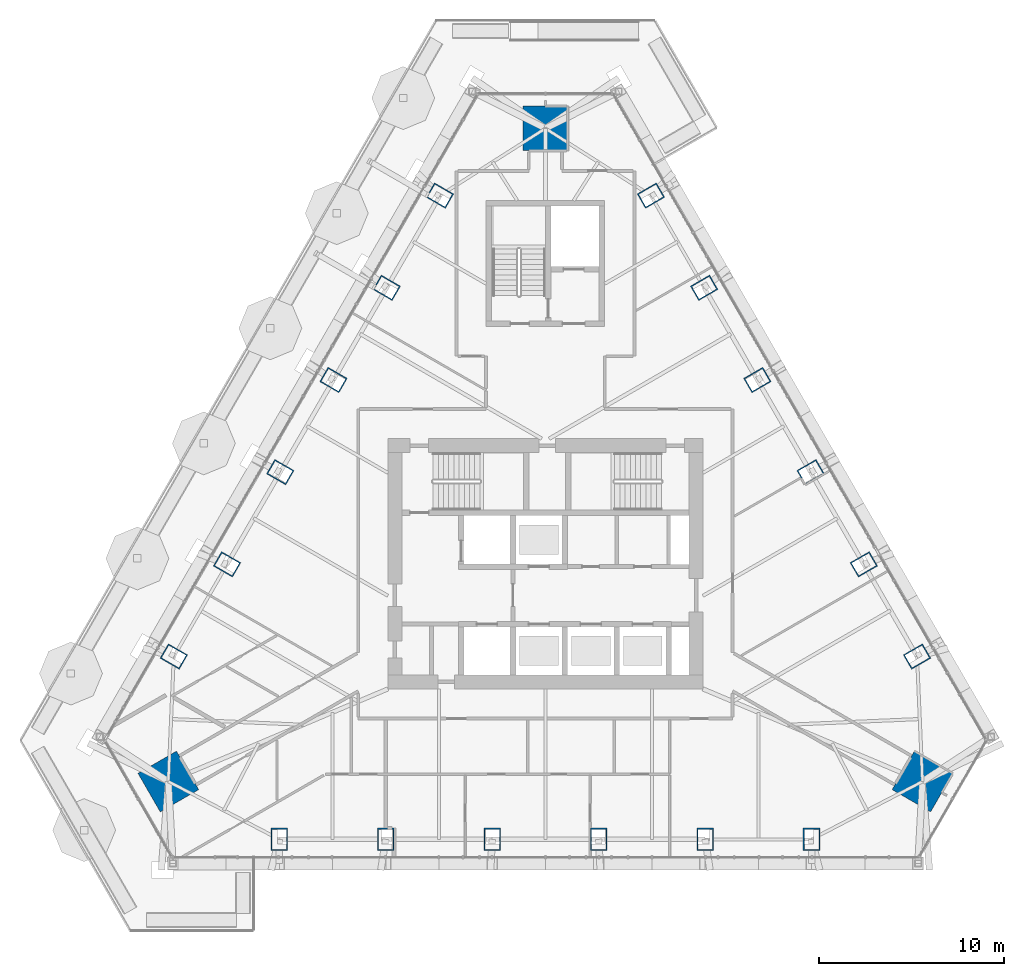
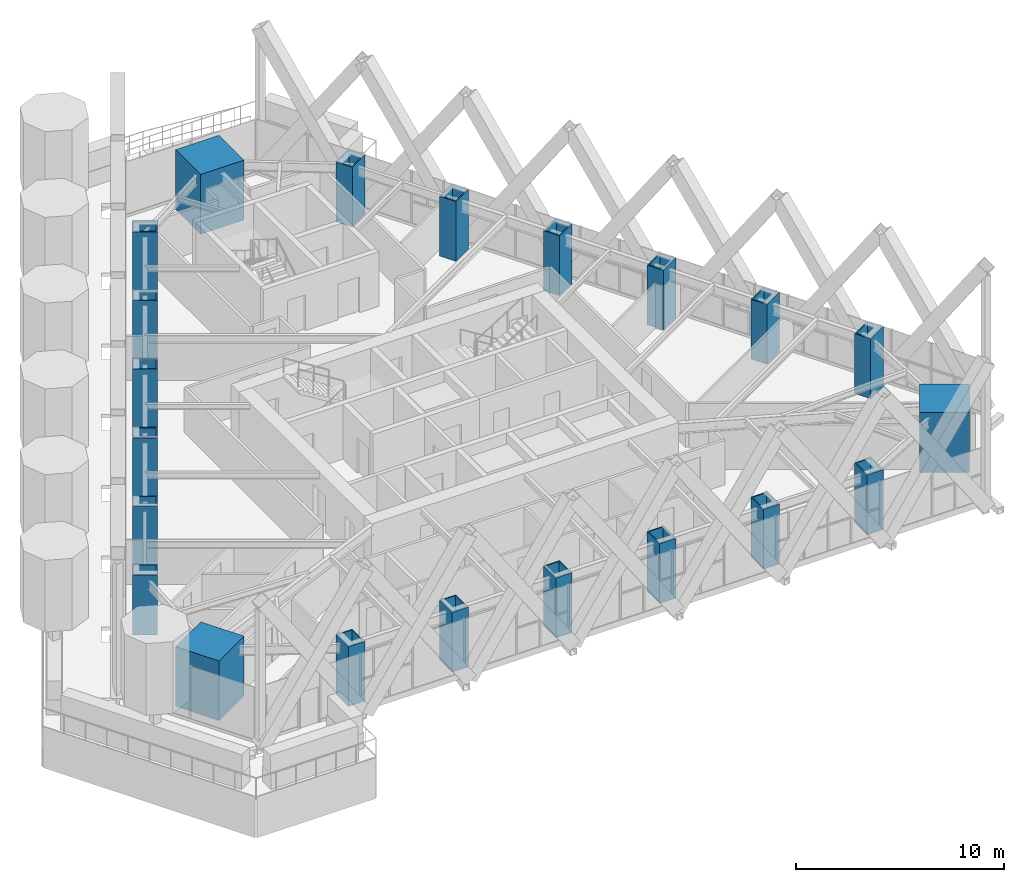
# One storey, part 1 of 24: 21 columns.
"""IFC4 building model written with IfcOpenShell, lengths in metres."""

from ifc_helpers import new_model, si_unit, direction, frame, origin, origin_2d, place, context, subcontext, project, spatial, rectangle, hollow_rectangle, extrude, material, material_profile, profile_set, type_object, element, save


model = new_model("IFC4")

# Units and contexts
model_context = context("Model", 3, precision=1e-05, world=origin(), true_north=direction((0.0, 1.0)))
body_context = subcontext(model_context, "Body", "Model", "MODEL_VIEW")
ifc_project = project(units=[si_unit("LENGTHUNIT", "METRE"), si_unit("AREAUNIT", "SQUARE_METRE"), si_unit("VOLUMEUNIT", "CUBIC_METRE"), si_unit("PLANEANGLEUNIT", "RADIAN"), si_unit("MASSUNIT", "GRAM", prefix="KILO")], contexts=[model_context])

# Site, building, storey
site_placement = place(None, origin())
site = spatial("IfcSite", under=ifc_project, at=site_placement, CompositionType="ELEMENT")
building_placement = place(site_placement, origin())
building = spatial("IfcBuilding", under=site, at=building_placement, Name="Firuza Gate Tower and Library", CompositionType="ELEMENT")
storey_placement = place(building_placement, frame((0.0, 0.0, 323.10009765625)))
storey = spatial("IfcBuildingStorey", under=building, at=storey_placement, Name="L79", CompositionType="ELEMENT", Elevation=323.10009765625)

# Columns
ifc_material_1 = material(Name="Steel S355", Category="steel")
ifc_material_profile_1 = material_profile(ifc_material_1, hollow_rectangle(XDim=0.89990234375, YDim=1.199951171875, WallThickness=0.06005859375, at=origin_2d()))
ifc_profile_set_1 = profile_set([ifc_material_profile_1], Name="Steel S355")
column_type_1 = type_object("IfcColumnType", Name="BU1200x900x60 Composite box column", PredefinedType="COLUMN", material=ifc_profile_set_1)
for number, where, z_axis, x_axis, name in (
    (1, (60.639892578125, 60.135986328125, -0.00048828125), (0.0, 0.0, 1.0), (1.0, 0.0, 0.0), "Column S1 L79"),
    (2, (66.384033203125, 60.135986328125, -0.00048828125), (0.0, 0.0, 1.0), (1.0, 0.0, 0.0), "Column S2 L79"),
    (3, (72.1279296875, 60.135986328125, -0.00048828125), (0.0, 0.0, 1.0), (1.0, 0.0, 0.0), "Column S3 L79"),
    (4, (77.8720703125, 60.135986328125, -0.00048828125), (0.0, 0.0, 1.0), (1.0, 0.0, 0.0), "Column S4 L79"),
    (5, (83.615966796875, 60.135986328125, -0.00048828125), (0.0, 0.0, 1.0), (1.0, 0.0, 0.0), "Column S5 L79"),
    (6, (89.360107421875, 60.135986328125, -0.00048828125), (0.0, 0.0, 1.0), (1.0, 0.0, 0.0), "Column S6 L79"),
    (7, (95.052490234375, 69.995849609375, -0.00048828125), (0.0, 0.0, 1.0), (-0.5, 0.866025403784, 0.0), "Column E1 L79"),
    (8, (92.1806640625, 74.97021484375, -0.00048828125), (0.0, 0.0, 1.0), (-0.5, 0.866025403784, 0.0), "Column E2 L79"),
    (9, (89.30859375, 79.94482421875, -0.00048828125), (0.0, 0.0, 1.0), (-0.5, 0.866025403784, 0.0), "Column E3 L79"),
    (10, (86.4365234375, 84.919189453125, -0.00048828125), (0.0, 0.0, 1.0), (-0.5, 0.866025403784, 0.0), "Column E4 L79"),
    (11, (83.564697265625, 89.8935546875, -0.00048828125), (0.0, 0.0, 1.0), (-0.5, 0.866025403784, 0.0), "Column E5 L79"),
    (12, (80.692626953125, 94.8681640625, -0.00048828125), (0.0, 0.0, 1.0), (-0.5, 0.866025403784, 0.0), "Column E6 L79"),
    (13, (69.307373046875, 94.8681640625, -0.00048828125), (0.0, 0.0, 1.0), (-0.5, -0.866025403784, 0.0), "Column W1 L79"),
    (14, (66.435302734375, 89.8935546875, -0.00048828125), (0.0, 0.0, 1.0), (-0.5, -0.866025403784, 0.0), "Column W2 L79"),
    (15, (63.5634765625, 84.919189453125, -0.00048828125), (0.0, 0.0, 1.0), (-0.5, -0.866025403784, 0.0), "Column W3 L79"),
    (16, (60.69140625, 79.94482421875, -0.00048828125), (0.0, 0.0, 1.0), (-0.5, -0.866025403784, 0.0), "Column W4 L79"),
    (17, (57.8193359375, 74.97021484375, -0.00048828125), (0.0, 0.0, 1.0), (-0.5, -0.866025403784, 0.0), "Column W5 L79"),
    (18, (54.947509765625, 69.995849609375, -0.00048828125), (0.0, 0.0, 1.0), (-0.5, -0.866025403784, 0.0), "Column W6 L79"),
):
    element("IfcColumn", number, at=place(storey_placement, frame(where, z_axis=z_axis, x_axis=x_axis)), inside=storey, type_object=column_type_1, Name=name, PredefinedType="COLUMN", context=body_context, shape_type="SweptSolid", body=[
        extrude(hollow_rectangle(XDim=0.89990234375, YDim=1.199951171875, WallThickness=0.06005859375, at=origin_2d()), origin(), (0.0, 0.0, 1.0), 3.50048828125),
    ])
ifc_material_2 = material(Name="Concrete C80/95", Category="concrete")
ifc_material_profile_2 = material_profile(ifc_material_2, rectangle(XDim=2.39990234375, YDim=2.39990234375, at=origin_2d()))
ifc_profile_set_2 = profile_set([ifc_material_profile_2], Name="Concrete C80/95")
column_type_2 = type_object("IfcColumnType", Name="Mega column 2400x2400 C80/95", PredefinedType="COLUMN", material=ifc_profile_set_2)
for number, where, z_axis, x_axis, name in (
    (19, (95.34521484375, 63.253662109375, 0.0), (0.0, 0.0, 1.0), (0.5, 0.866025403784, 0.0), "Mega column SE L79"),
    (20, (75.0, 98.49267578125, 0.0), (0.0, 0.0, 1.0), (-1.0, 0.0, 0.0), "Mega column N L79"),
    (21, (54.65478515625, 63.253662109375, 0.0), (0.0, 0.0, 1.0), (0.5, -0.866025403784, 0.0), "Mega column SW L79"),
):
    element("IfcColumn", number, at=place(storey_placement, frame(where, z_axis=z_axis, x_axis=x_axis)), inside=storey, type_object=column_type_2, Name=name, PredefinedType="COLUMN", context=body_context, shape_type="SweptSolid", body=[
        extrude(rectangle(XDim=2.39990234375, YDim=2.39990234375, at=origin_2d()), origin(), (0.0, 0.0, 1.0), 3.5),
    ])

save(model, "model.ifc")
